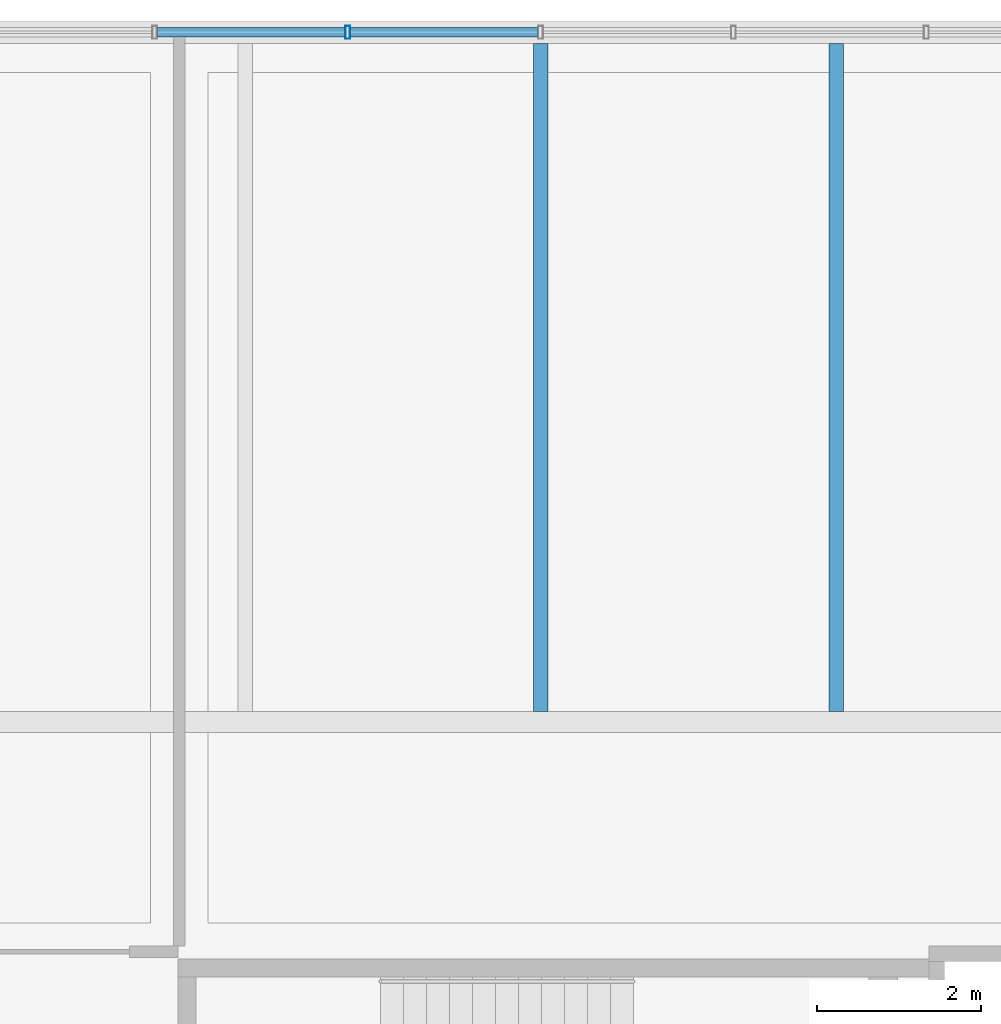
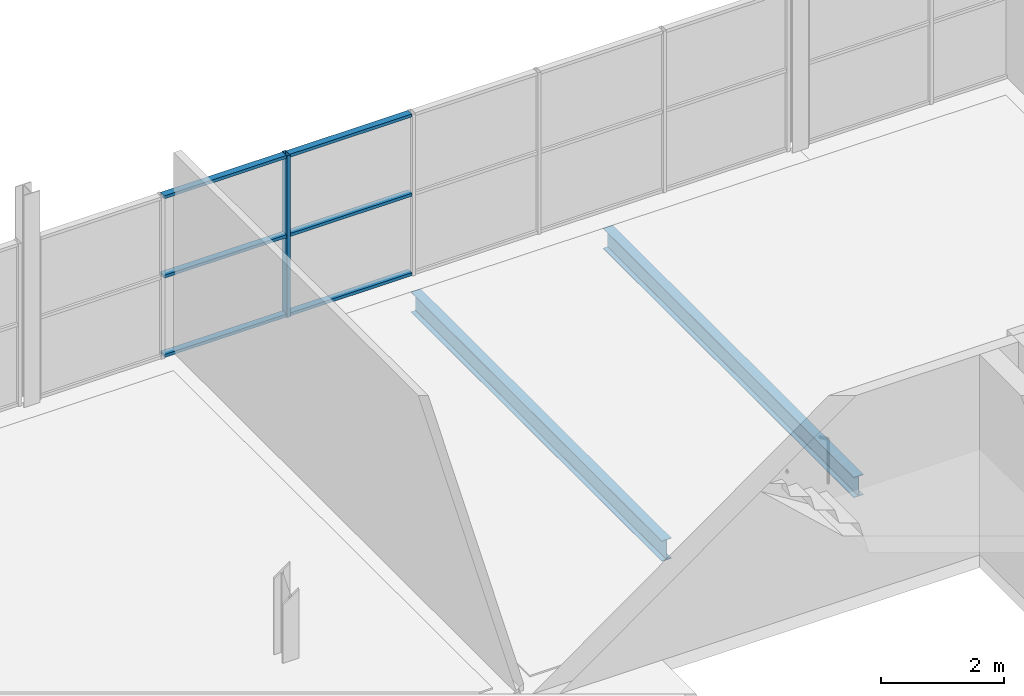
# One storey, part 35 of 68: 7 members, 2 beams, 1 element without a shape of its own.
"""IFC4 building model written with IfcOpenShell, lengths in metres."""

from ifc_helpers import new_model, si_unit, direction, frame, origin, origin_2d, place, context, subcontext, project, spatial, hollow_rectangle, i_section, extrude, material, material_profile, profile_set, type_object, element, aggregate, save


model = new_model("IFC4")

# Units and contexts
model_context = context("Model", 3, precision=1e-05, world=origin(), true_north=direction((0.0, 1.0)))
body_context = subcontext(model_context, "Body", "Model", "MODEL_VIEW")
ifc_project = project(units=[si_unit("LENGTHUNIT", "METRE"), si_unit("AREAUNIT", "SQUARE_METRE"), si_unit("VOLUMEUNIT", "CUBIC_METRE"), si_unit("PLANEANGLEUNIT", "RADIAN"), si_unit("MASSUNIT", "GRAM", prefix="KILO"), si_unit("THERMODYNAMICTEMPERATUREUNIT", "KELVIN")], contexts=[model_context])

# Site, building, storey
site_placement = place(None, origin())
site = spatial("IfcSite", under=ifc_project, at=site_placement, CompositionType="ELEMENT")
building_placement = place(site_placement, origin())
building = spatial("IfcBuilding", under=site, at=building_placement, Name="Nduvali Passage Aquatics Centre", CompositionType="ELEMENT")
storey_placement = place(building_placement, frame((0.0, 0.0, 13.199951171875)))
storey = spatial("IfcBuildingStorey", under=building, at=storey_placement, Name="L03", CompositionType="ELEMENT", Elevation=13.199951171875)

# Curtain wall, members
ifc_material_1 = material(Name="Aluminium EN AW-6063 T6", Category="aluminium")
curtain_wall_type = type_object("IfcCurtainWallType", Name="ENV-CW-WELL", PredefinedType="NOTDEFINED", material=ifc_material_1)
curtain_wall_placement = place(storey_placement, origin())
curtain_wall = element("IfcCurtainWall", 1, at=curtain_wall_placement, inside=storey, type_object=curtain_wall_type, Name="L03 North Avenue Teaching CW 105", PredefinedType="NOTDEFINED")
ifc_material_profile_1 = material_profile(ifc_material_1, hollow_rectangle(XDim=0.06005859375, YDim=0.159912109375, WallThickness=0.00390625, at=origin_2d()), Name="ALU MULLION 60x160x4")
ifc_profile_set_1 = profile_set([ifc_material_profile_1], Name="Aluminium EN AW-6063 T6")
member_type_1 = type_object("IfcMemberType", Name="ENV-MEM-MUL60", PredefinedType="MULLION", material=ifc_profile_set_1)
member_1_placement = place(storey_placement, frame((73.25, 117.60009765625, 0.0), z_axis=(0.0, 0.0, 1.0), x_axis=(1.0, 0.0, 0.0)))
member_1 = element("IfcMember", 2, at=member_1_placement, type_object=member_type_1, Name="North Avenue Teaching CW Mullion 3", PredefinedType="MULLION", context=body_context, shape_type="SweptSolid", body=[
    extrude(hollow_rectangle(XDim=0.06005859375, YDim=0.159912109375, WallThickness=0.00390625, at=origin_2d()), origin(), (0.0, 0.0, 1.0), 3.203857421875),
])
ifc_material_profile_2 = material_profile(ifc_material_1, hollow_rectangle(XDim=0.1201171875, YDim=0.06005859375, WallThickness=0.00390625, at=origin_2d()), Name="ALU TRANSOM 120x60x4")
ifc_profile_set_2 = profile_set([ifc_material_profile_2], Name="Aluminium EN AW-6063 T6")
member_type_2 = type_object("IfcMemberType", Name="ENV-MEM-TRN60", PredefinedType="USERDEFINED", material=ifc_profile_set_2)
member_2_placement = place(storey_placement, frame((70.929931640625, 117.60009765625, 0.030029296875), z_axis=(1.0, 0.0, 0.0), x_axis=(0.0, 1.0, 0.0)))
member_2 = element("IfcMember", 3, at=member_2_placement, type_object=member_type_2, Name="North Avenue Teaching CW Transom B2-R0", ObjectType="TRANSOM", PredefinedType="USERDEFINED", context=body_context, shape_type="SweptSolid", body=[
    extrude(hollow_rectangle(XDim=0.1201171875, YDim=0.06005859375, WallThickness=0.00390625, at=origin_2d()), origin(), (0.0, 0.0, 1.0), 2.2900390625),
])
member_3_placement = place(storey_placement, frame((70.929931640625, 117.60009765625, 1.60205078125), z_axis=(1.0, 0.0, 0.0), x_axis=(0.0, 1.0, 0.0)))
member_3 = element("IfcMember", 4, at=member_3_placement, type_object=member_type_2, Name="North Avenue Teaching CW Transom B2-R1", ObjectType="TRANSOM", PredefinedType="USERDEFINED", context=body_context, shape_type="SweptSolid", body=[
    extrude(hollow_rectangle(XDim=0.1201171875, YDim=0.06005859375, WallThickness=0.00390625, at=origin_2d()), origin(), (0.0, 0.0, 1.0), 2.2900390625),
])
member_4_placement = place(storey_placement, frame((70.929931640625, 117.60009765625, 3.173828125), z_axis=(1.0, 0.0, 0.0), x_axis=(0.0, 1.0, 0.0)))
member_4 = element("IfcMember", 5, at=member_4_placement, type_object=member_type_2, Name="North Avenue Teaching CW Transom B2-R2", ObjectType="TRANSOM", PredefinedType="USERDEFINED", context=body_context, shape_type="SweptSolid", body=[
    extrude(hollow_rectangle(XDim=0.1201171875, YDim=0.06005859375, WallThickness=0.00390625, at=origin_2d()), origin(), (0.0, 0.0, 1.0), 2.2900390625),
])
member_5_placement = place(storey_placement, frame((73.280029296875, 117.60009765625, 0.030029296875), z_axis=(1.0, 0.0, 0.0), x_axis=(0.0, 1.0, 0.0)))
member_5 = element("IfcMember", 6, at=member_5_placement, type_object=member_type_2, Name="North Avenue Teaching CW Transom B3-R0", ObjectType="TRANSOM", PredefinedType="USERDEFINED", context=body_context, shape_type="SweptSolid", body=[
    extrude(hollow_rectangle(XDim=0.1201171875, YDim=0.06005859375, WallThickness=0.00390625, at=origin_2d()), origin(), (0.0, 0.0, 1.0), 2.2900390625),
])
member_6_placement = place(storey_placement, frame((73.280029296875, 117.60009765625, 1.60205078125), z_axis=(1.0, 0.0, 0.0), x_axis=(0.0, 1.0, 0.0)))
member_6 = element("IfcMember", 7, at=member_6_placement, type_object=member_type_2, Name="North Avenue Teaching CW Transom B3-R1", ObjectType="TRANSOM", PredefinedType="USERDEFINED", context=body_context, shape_type="SweptSolid", body=[
    extrude(hollow_rectangle(XDim=0.1201171875, YDim=0.06005859375, WallThickness=0.00390625, at=origin_2d()), origin(), (0.0, 0.0, 1.0), 2.2900390625),
])
member_7_placement = place(storey_placement, frame((73.280029296875, 117.60009765625, 3.173828125), z_axis=(1.0, 0.0, 0.0), x_axis=(0.0, 1.0, 0.0)))
member_7 = element("IfcMember", 8, at=member_7_placement, type_object=member_type_2, Name="North Avenue Teaching CW Transom B3-R2", ObjectType="TRANSOM", PredefinedType="USERDEFINED", context=body_context, shape_type="SweptSolid", body=[
    extrude(hollow_rectangle(XDim=0.1201171875, YDim=0.06005859375, WallThickness=0.00390625, at=origin_2d()), origin(), (0.0, 0.0, 1.0), 2.2900390625),
])
aggregate(curtain_wall, [member_1, member_2, member_3, member_4, member_5, member_6, member_7])

# Beams
ifc_material_2 = material(Name="Steel S355", Category="steel")
ifc_material_profile_3 = material_profile(ifc_material_2, i_section(OverallWidth=0.1787109375, OverallDepth=0.409423828125, WebThickness=0.0087890625, FlangeThickness=0.014404296875, FilletRadius=0.01025390625, at=origin_2d()), Name="UKB 406x178x67")
ifc_profile_set_3 = profile_set([ifc_material_profile_3], Name="Steel S355")
beam_type = type_object("IfcBeamType", Name="STR-JST-UKB406", PredefinedType="JOIST", material=ifc_profile_set_3)
for number, where, z_axis, x_axis, name in (
    (9, (75.60009765625, 109.326904296875, -0.458740234375), (0.0, 1.0, 0.0), (-1.0, 0.0, 0.0), "L03 Secondary Joist J1-1310"),
    (10, (79.199951171875, 109.326904296875, -0.458740234375), (0.0, 1.0, 0.0), (-1.0, 0.0, 0.0), "L03 Secondary Joist J1-1311"),
):
    element("IfcBeam", number, at=place(storey_placement, frame(where, z_axis=z_axis, x_axis=x_axis)), inside=storey, type_object=beam_type, Name=name, PredefinedType="JOIST", context=body_context, shape_type="SweptSolid", body=[
        extrude(i_section(OverallWidth=0.1787109375, OverallDepth=0.409423828125, WebThickness=0.0087890625, FlangeThickness=0.014404296875, FilletRadius=0.01025390625, at=origin_2d()), origin(), (0.0, 0.0, 1.0), 8.139892578125),
    ])

save(model, "model.ifc")
